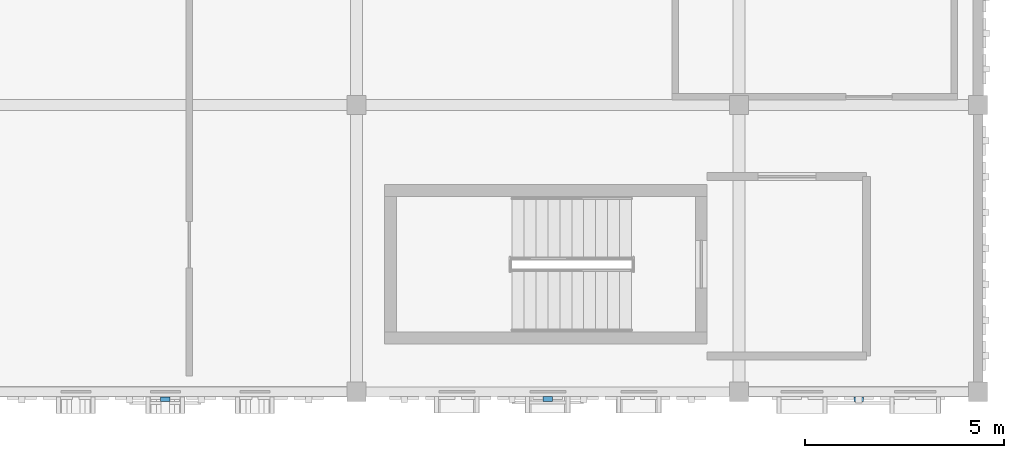
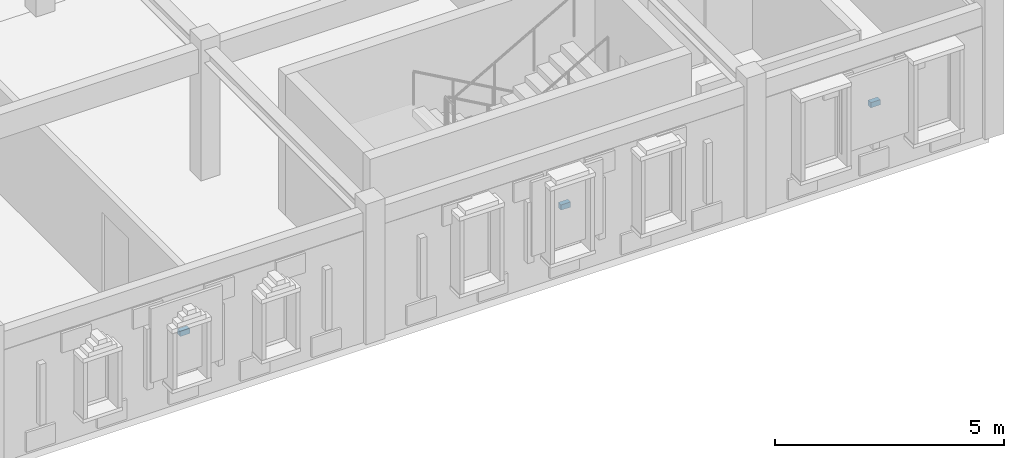
# One storey, part 39 of 53: 3 discrete accessories.
"""IFC4 building model written with IfcOpenShell, lengths in metres."""

import ifcopenshell
import ifcopenshell.guid

model = None  # the IFC model being written
_history = None  # IfcOwnerHistory: only IFC2X3 demands one
_inside = {}  # id of a spatial element -> (the spatial element, [elements in it])
_under = {}  # id of a project, library or spatial element -> (it, [spatial elements below it])
_declared = {}  # id of a project -> (the project, [libraries it declares])
_typed = {}  # id of a type object -> (the type object, [elements of that type])
_made_of = {}  # id of a material, layer set ... -> (it, [elements and type objects made of it])


def new_model(schema):
    """Start an empty IFC model of exactly this schema.

    Asked for "IFC4X3", IfcOpenShell would pick the latest addendum, in which some entities
    have other attributes; the version numbers below select the first issue.
    IFC2X3 requires an IfcOwnerHistory on every rooted entity: one is made here for all.
    """
    global model, _history
    if schema == "IFC4X3":
        model = ifcopenshell.file(schema_version=(4, 3, 0, 0))
    else:
        model = ifcopenshell.file(schema=schema)
    _inside.clear()
    _under.clear()
    _declared.clear()
    _typed.clear()
    _made_of.clear()
    _history = None
    if model.schema == "IFC2X3":
        org = make("IfcOrganization", Name="unknown")
        user = make(
            "IfcPersonAndOrganization",
            ThePerson=make("IfcPerson", FamilyName="unknown"),
            TheOrganization=org,
        )
        app = make(
            "IfcApplication",
            ApplicationDeveloper=org,
            Version="unknown",
            ApplicationFullName="unknown",
            ApplicationIdentifier="unknown",
        )
        _history = make(
            "IfcOwnerHistory",
            OwningUser=user,
            OwningApplication=app,
            ChangeAction="ADDED",
            CreationDate=0,
        )
    return model


def make(cls, **values):
    """One entity of the class cls with the attributes given. An attribute that is None is left unset."""
    return model.create_entity(
        cls, **{name: value for name, value in values.items() if value is not None}
    )


def rooted(cls, **values):
    """An entity with a GlobalId (a new one), such as an element, a storey or a relation."""
    return make(cls, GlobalId=ifcopenshell.guid.new(), OwnerHistory=_history, **values)


def si_unit(unit_type, name, prefix=None):
    """IfcSIUnit, for example si_unit("LENGTHUNIT", "METRE", prefix="MILLI")."""
    return make("IfcSIUnit", UnitType=unit_type, Prefix=prefix, Name=name)


def assignment(units):
    """IfcUnitAssignment: the units of a project."""
    return None if units is None else make("IfcUnitAssignment", Units=units)


def point(xyz):
    """IfcCartesianPoint."""
    return None if xyz is None else make("IfcCartesianPoint", Coordinates=xyz)


def direction(xyz):
    """IfcDirection."""
    return None if xyz is None else make("IfcDirection", DirectionRatios=xyz)


def frame(location, z_axis=None, x_axis=None):
    """IfcAxis2Placement3D, a coordinate frame: its origin and axes. An axis left out is left unset."""
    return make(
        "IfcAxis2Placement3D",
        Location=point(location),
        Axis=direction(z_axis),
        RefDirection=direction(x_axis),
    )


def frame_2d(location, x_axis=None):
    """IfcAxis2Placement2D, a coordinate frame in the plane: its origin and x axis."""
    return make(
        "IfcAxis2Placement2D", Location=point(location), RefDirection=direction(x_axis)
    )


def origin():
    """The frame at (0, 0, 0) with its axes left unset."""
    return frame((0.0, 0.0, 0.0))


def origin_2d():
    """The frame at (0, 0) in the plane with its x axis left unset."""
    return frame_2d((0.0, 0.0))


def place(relative_to, where):
    """IfcLocalPlacement: puts the frame where relative to a parent placement (None: the world)."""
    return make(
        "IfcLocalPlacement", PlacementRelTo=relative_to, RelativePlacement=where
    )


def context(
    kind, dimensions, precision=None, world=None, true_north=None, identifier=None
):
    """IfcGeometricRepresentationContext, for example the 3D "Model" context."""
    return make(
        "IfcGeometricRepresentationContext",
        ContextIdentifier=identifier,
        ContextType=kind,
        CoordinateSpaceDimension=dimensions,
        Precision=precision,
        WorldCoordinateSystem=world,
        TrueNorth=true_north,
    )


def subcontext(parent, identifier, kind, view, scale=None):
    """IfcGeometricRepresentationSubContext, for example "Body" below "Model"."""
    return make(
        "IfcGeometricRepresentationSubContext",
        ContextIdentifier=identifier,
        ContextType=kind,
        ParentContext=parent,
        TargetScale=scale,
        TargetView=view,
    )


def project(units=None, contexts=None):
    """IfcProject with its units and contexts."""
    return rooted(
        "IfcProject",
        Name="project",
        RepresentationContexts=contexts,
        UnitsInContext=assignment(units),
    )


def spatial(cls, under=None, at=None, **own):
    """A site, building, storey or space (cls), placed at a placement, below another one or the project."""
    s = rooted(cls, ObjectPlacement=at, **own)
    if under is not None:
        _under.setdefault(under.id(), (under, []))[1].append(s)
    return s


def profile(cls, at=None, kind="AREA", **sizes):
    """A parametric profile (cls). Its sizes go by their IFC names, for example OverallWidth=200.0."""
    return make(cls, ProfileType=kind, Position=at, **sizes)


def rectangle(**sizes):
    """IfcRectangleProfileDef."""
    return profile("IfcRectangleProfileDef", **sizes)


def extrude(swept, where, along, depth):
    """IfcExtrudedAreaSolid: the profile swept, set in the frame where, extruded along a direction by depth."""
    return make(
        "IfcExtrudedAreaSolid",
        SweptArea=swept,
        Position=where,
        ExtrudedDirection=direction(along),
        Depth=depth,
    )


def shape(context_of_items, identifier, shape_type, items):
    """IfcShapeRepresentation: the items that make up one representation, for example the "Body"."""
    return make(
        "IfcShapeRepresentation",
        ContextOfItems=context_of_items,
        RepresentationIdentifier=identifier,
        RepresentationType=shape_type,
        Items=items,
    )


def material(Name=None, Category=None):
    """IfcMaterial."""
    return make("IfcMaterial", Name=Name, Category=Category)


def made_of(thing, what):
    """Note that an element or type object is made of a material, layer set ...; save() writes the relation."""
    if what is not None:
        _made_of.setdefault(what.id(), (what, []))[1].append(thing)
    return thing


def type_object(cls, material=None, **own):
    """A type object (cls), such as IfcWallType, which elements share."""
    return made_of(rooted(cls, **own), material)


def element(
    cls,
    number,
    at=None,
    inside=None,
    cuts=None,
    type_object=None,
    material=None,
    context=None,
    identifier="Body",
    shape_type=None,
    held_by="IfcProductDefinitionShape",
    body=None,
    shapes=None,
    **own,
):
    """One element of the class cls, such as IfcWall. Its Tag is "e" and its number.

    at: its placement. inside: the storey or other place that contains it. cuts: it is an
    opening in that element (IfcRelVoidsElement). A single representation is given by context,
    identifier, shape_type and body (its items); several are given by shapes. held_by: the class
    of the entity that holds the representations. save() writes the other relations.
    """
    e = rooted(cls, Tag="e%d" % number, ObjectPlacement=at, **own)
    if body is not None:
        shapes = [shape(context, identifier, shape_type, body)]
    if shapes is not None:
        e.Representation = make(held_by, Representations=shapes)
    if inside is not None:
        _inside.setdefault(inside.id(), (inside, []))[1].append(e)
    if cuts is not None:
        rooted(
            "IfcRelVoidsElement", RelatingBuildingElement=cuts, RelatedOpeningElement=e
        )
    if type_object is not None:
        _typed.setdefault(type_object.id(), (type_object, []))[1].append(e)
    return made_of(e, material)


def aggregate(whole, parts):
    """IfcRelAggregates: a whole, such as a stair, and the parts it consists of."""
    return rooted("IfcRelAggregates", RelatingObject=whole, RelatedObjects=parts)


def save(model, path):
    """Write the relations noted so far, then the file.

    IfcRelAggregates (storeys below a building ...), IfcRelContainedInSpatialStructure (elements
    in a storey), IfcRelDefinesByType, IfcRelAssociatesMaterial and IfcRelDeclares: one each for
    every whole, place, type object, material and project.
    """
    for whole, parts in _under.values():
        aggregate(whole, parts)
    for where, things in _inside.values():
        rooted(
            "IfcRelContainedInSpatialStructure",
            RelatedElements=things,
            RelatingStructure=where,
        )
    for kind, things in _typed.values():
        rooted("IfcRelDefinesByType", RelatedObjects=things, RelatingType=kind)
    for what, things in _made_of.values():
        rooted("IfcRelAssociatesMaterial", RelatedObjects=things, RelatingMaterial=what)
    for by, libraries in _declared.values():
        rooted("IfcRelDeclares", RelatingContext=by, RelatedDefinitions=libraries)
    model.write(path)


model = new_model("IFC4")

# Units and contexts
model_context = context("Model", 3, precision=1e-05, world=origin(), true_north=direction((0.0, 1.0)))
body_context = subcontext(model_context, "Body", "Model", "MODEL_VIEW")
ifc_project = project(units=[si_unit("LENGTHUNIT", "METRE"), si_unit("AREAUNIT", "SQUARE_METRE"), si_unit("VOLUMEUNIT", "CUBIC_METRE"), si_unit("PLANEANGLEUNIT", "RADIAN"), si_unit("MASSUNIT", "GRAM", prefix="KILO")], contexts=[model_context])

# Site, building, storey
site_placement = place(None, origin())
site = spatial("IfcSite", under=ifc_project, at=site_placement, CompositionType="ELEMENT")
building_placement = place(site_placement, origin())
building = spatial("IfcBuilding", under=site, at=building_placement, Name="Nzembalo Square Collegiate School", CompositionType="ELEMENT")
storey_placement = place(building_placement, frame((0.0, 0.0, 13.60009765625)))
storey = spatial("IfcBuildingStorey", under=building, at=storey_placement, Name="L03", CompositionType="ELEMENT", Elevation=13.60009765625)

# Discrete accessories
ifc_material = material(Name="Steel S355", Category="steel")
discrete_accessory_type = type_object("IfcDiscreteAccessoryType", Name="BK01", PredefinedType="BRACKET", material=ifc_material)
for number, where, z_axis, x_axis, name in (
    (1, (145.199951171875, 8.21240234375, 1.8642578125), (0.0, 0.0, 1.0), (1.0, 0.0, 0.0), "Screen bracket BK01-018"),
    (2, (154.800048828125, 8.222412109375, 1.8642578125), (0.0, 0.0, 1.0), (1.0, 0.0, 0.0), "Screen bracket BK01-019"),
    (3, (162.60009765625, 8.21240234375, 1.8642578125), (0.0, 0.0, 1.0), (1.0, 0.0, 0.0), "Screen bracket BK01-020"),
):
    element("IfcDiscreteAccessory", number, at=place(storey_placement, frame(where, z_axis=z_axis, x_axis=x_axis)), inside=storey, type_object=discrete_accessory_type, Name=name, PredefinedType="BRACKET", context=body_context, shape_type="SweptSolid", body=[
        extrude(rectangle(XDim=0.239990234375, YDim=0.1201171875, at=origin_2d()), origin(), (0.0, 0.0, 1.0), 0.139892578125),
    ])

save(model, "model.ifc")
